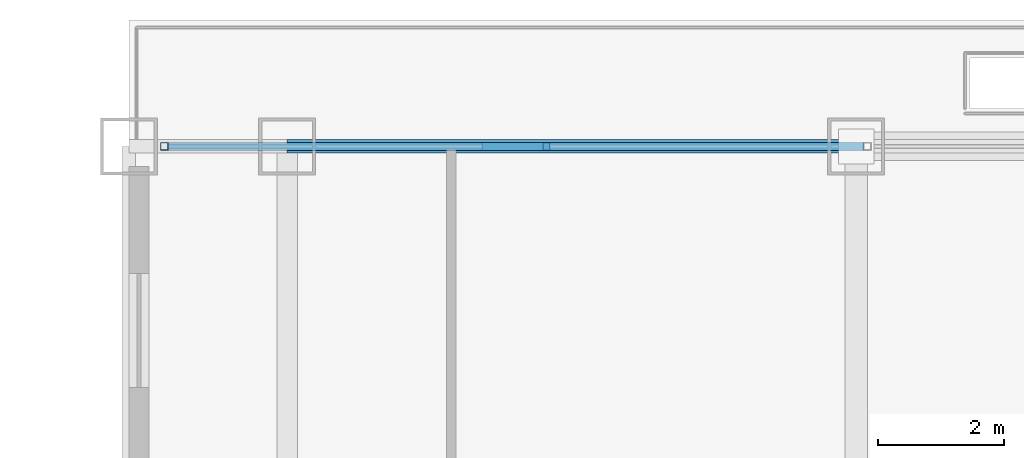
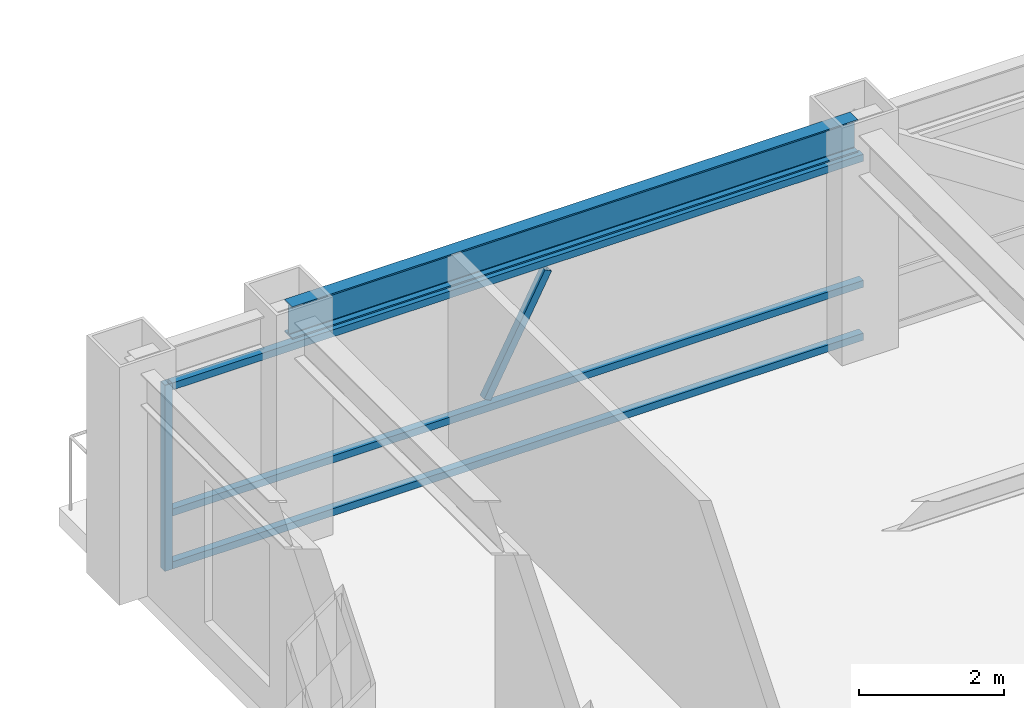
# One storey, part 17 of 32: 5 members, 1 beam, 1 element without a shape of its own.
"""IFC4 building model written with IfcOpenShell, lengths in metres."""

from ifc_helpers import new_model, si_unit, direction, frame, origin, origin_2d, place, context, subcontext, project, spatial, hollow_rectangle, i_section, extrude, source, transform, mapped, material, material_profile, profile_set, type_object, element, aggregate, save


model = new_model("IFC4")

# Units and contexts
model_context = context("Model", 3, precision=1e-05, world=origin(), true_north=direction((0.0, 1.0)))
body_context = subcontext(model_context, "Body", "Model", "MODEL_VIEW")
ifc_project = project(units=[si_unit("LENGTHUNIT", "METRE"), si_unit("AREAUNIT", "SQUARE_METRE"), si_unit("VOLUMEUNIT", "CUBIC_METRE"), si_unit("PLANEANGLEUNIT", "RADIAN"), si_unit("MASSUNIT", "GRAM", prefix="KILO")], contexts=[model_context])

# Site, building, storey
site_placement = place(None, origin())
site = spatial("IfcSite", under=ifc_project, at=site_placement, CompositionType="ELEMENT")
building_placement = place(site_placement, origin())
building = spatial("IfcBuilding", under=site, at=building_placement, Name="Khorayat Bourse Tower", CompositionType="ELEMENT")
storey_placement = place(building_placement, frame((0.0, 0.0, 273.5)))
storey = spatial("IfcBuildingStorey", under=building, at=storey_placement, Name="L64", CompositionType="ELEMENT", Elevation=273.5)

# Beam
ifc_material_1 = material(Name="Steel ASTM A992 Grade 50", Category="steel")
ifc_material_profile_1 = material_profile(ifc_material_1, i_section(OverallWidth=0.214111328125, OverallDepth=0.549072265625, WebThickness=0.0146484375, FlangeThickness=0.023681640625, FilletRadius=0.013916015625, at=origin_2d()), Name="W530X138")
ifc_profile_set_1 = profile_set([ifc_material_profile_1], Name="Steel ASTM A992 Grade 50")
beam_type = type_object("IfcBeamType", Name="BM-SPAN-530", PredefinedType="SPANDREL", material=ifc_profile_set_1)
shared_shape_1 = source(origin(), body_context, "Body", "SweptSolid", [
    extrude(i_section(OverallWidth=0.214111328125, OverallDepth=0.549072265625, WebThickness=0.0146484375, FlangeThickness=0.023681640625, FilletRadius=0.013916015625, at=origin_2d()), origin(), (0.0, 0.0, 1.0), 9.0),
])
beam_placement = place(storey_placement, frame((-20.0, 28.0, 3.505615234375), z_axis=(1.0, 0.0, 0.0), x_axis=(0.0, 1.0, 0.0)))
element("IfcBeam", 1, at=beam_placement, inside=storey, type_object=beam_type, Name="L64 BM-SPAN-530 BM-L64-SPN-050", PredefinedType="SPANDREL", context=body_context, shape_type="MappedRepresentation", body=[
    mapped(shared_shape_1, transform((0.0, 0.0, 0.0), scale=1.0)),
])

# Curtain wall, members
ifc_material_2 = material(Name="Aluminium EN AW-6063 T6", Category="aluminium")
curtain_wall_type = type_object("IfcCurtainWallType", Name="CW-SYS-04", PredefinedType="NOTDEFINED", material=ifc_material_2)
curtain_wall_placement = place(storey_placement, origin())
curtain_wall = element("IfcCurtainWall", 2, at=curtain_wall_placement, inside=storey, type_object=curtain_wall_type, Name="L64 Curtain Wall CW-L64-N1", PredefinedType="NOTDEFINED")
ifc_material_profile_2 = material_profile(ifc_material_2, hollow_rectangle(XDim=0.1201171875, YDim=0.1201171875, WallThickness=0.0048828125, at=origin_2d()), Name="ALU 120x120x5")
ifc_profile_set_2 = profile_set([ifc_material_profile_2], Name="Aluminium EN AW-6063 T6")
member_type_1 = type_object("IfcMemberType", Name="CWM-VERT-120", PredefinedType="MULLION", material=ifc_profile_set_2)
shared_shape_2 = source(origin(), body_context, "Body", "SweptSolid", [
    extrude(hollow_rectangle(XDim=0.1201171875, YDim=0.1201171875, WallThickness=0.0048828125, at=origin_2d()), origin(), (0.0, 0.0, 1.0), 3.1298828125),
])
member_1_placement = place(storey_placement, frame((-21.93994140625, 28.0, 0.0), z_axis=(0.0, 0.0, 1.0), x_axis=(0.0, 1.0, 0.0)))
member_1 = element("IfcMember", 3, at=member_1_placement, type_object=member_type_1, Name="CW-L64-N1 Vertical Mullion 1", PredefinedType="MULLION", context=body_context, shape_type="MappedRepresentation", body=[
    mapped(shared_shape_2, transform((0.0, 0.0, 0.0), scale=1.0)),
])
ifc_material_profile_3 = material_profile(ifc_material_2, hollow_rectangle(XDim=0.1201171875, YDim=0.1201171875, WallThickness=0.0048828125, at=origin_2d()), Name="ALU 120x120x5")
ifc_profile_set_3 = profile_set([ifc_material_profile_3], Name="Aluminium EN AW-6063 T6")
member_type_2 = type_object("IfcMemberType", Name="CWT-HORZ-120", PredefinedType="USERDEFINED", material=ifc_profile_set_3)
shared_shape_3 = source(origin(), body_context, "Body", "SweptSolid", [
    extrude(hollow_rectangle(XDim=0.1201171875, YDim=0.1201171875, WallThickness=0.0048828125, at=origin_2d()), origin(), (0.0, 0.0, 1.0), 10.994873046875),
])
member_2_placement = place(storey_placement, frame((-21.8798828125, 28.0, 0.06005859375), z_axis=(1.0, 0.0, 0.0), x_axis=(0.0, 1.0, 0.0)))
member_2 = element("IfcMember", 4, at=member_2_placement, type_object=member_type_2, Name="CW-L64-N1 Horizontal Transom 1-1", ObjectType="TRANSOM", PredefinedType="USERDEFINED", context=body_context, shape_type="MappedRepresentation", body=[
    mapped(shared_shape_3, transform((0.0, 0.0, 0.0), scale=1.0)),
])
member_3_placement = place(storey_placement, frame((-21.8798828125, 28.0, 0.949951171875), z_axis=(1.0, 0.0, 0.0), x_axis=(0.0, 1.0, 0.0)))
member_3 = element("IfcMember", 5, at=member_3_placement, type_object=member_type_2, Name="CW-L64-N1 Horizontal Transom 1-2", ObjectType="TRANSOM", PredefinedType="USERDEFINED", context=body_context, shape_type="MappedRepresentation", body=[
    mapped(shared_shape_3, transform((0.0, 0.0, 0.0), scale=1.0)),
])
member_4_placement = place(storey_placement, frame((-21.8798828125, 28.0, 3.070068359375), z_axis=(1.0, 0.0, 0.0), x_axis=(0.0, 1.0, 0.0)))
member_4 = element("IfcMember", 6, at=member_4_placement, type_object=member_type_2, Name="CW-L64-N1 Horizontal Transom 1-3", ObjectType="TRANSOM", PredefinedType="USERDEFINED", context=body_context, shape_type="MappedRepresentation", body=[
    mapped(shared_shape_3, transform((0.0, 0.0, 0.0), scale=1.0)),
])
ifc_material_profile_4 = material_profile(ifc_material_2, hollow_rectangle(XDim=0.1201171875, YDim=0.1201171875, WallThickness=0.0048828125, at=origin_2d()), Name="ALU 120x120x5")
ifc_profile_set_4 = profile_set([ifc_material_profile_4], Name="Aluminium EN AW-6063 T6")
member_type_3 = type_object("IfcMemberType", Name="CWM-DIAG-120", PredefinedType="MULLION", material=ifc_profile_set_4)
shared_shape_4 = source(origin(), body_context, "Body", "SweptSolid", [
    extrude(hollow_rectangle(XDim=0.1201171875, YDim=0.1201171875, WallThickness=0.0048828125, at=origin_2d()), origin(), (0.0, 0.0, 1.0), 2.0791015625),
])
member_5_placement = place(storey_placement, frame((-16.86669921875, 28.0, 1.090087890625), z_axis=(0.465809344892, 0.0, 0.884885107916), x_axis=(0.0, 1.0, 0.0)))
member_5 = element("IfcMember", 7, at=member_5_placement, type_object=member_type_3, Name="CW-L64-N1 Faceted Diagonal Mullion 1", PredefinedType="MULLION", context=body_context, shape_type="MappedRepresentation", body=[
    mapped(shared_shape_4, transform((0.0, 0.0, 0.0), scale=1.0)),
])
aggregate(curtain_wall, [member_1, member_2, member_3, member_4, member_5])

save(model, "model.ifc")
